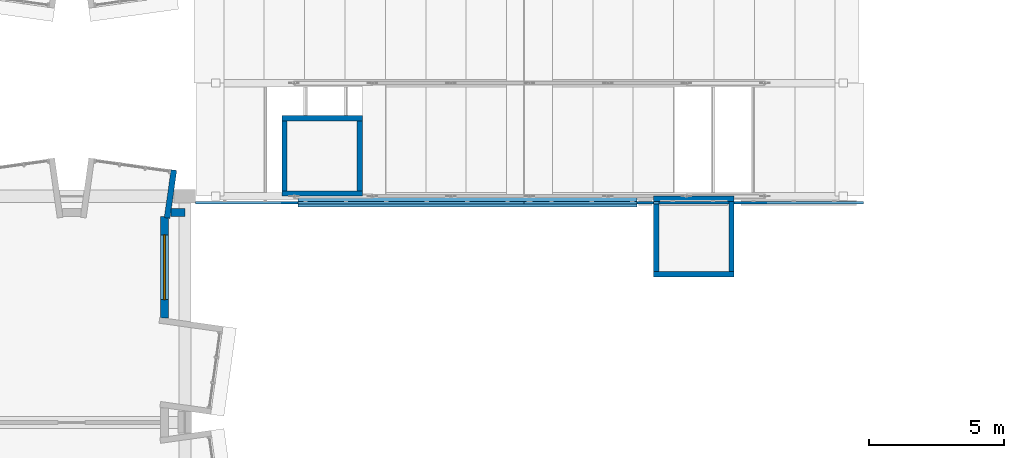
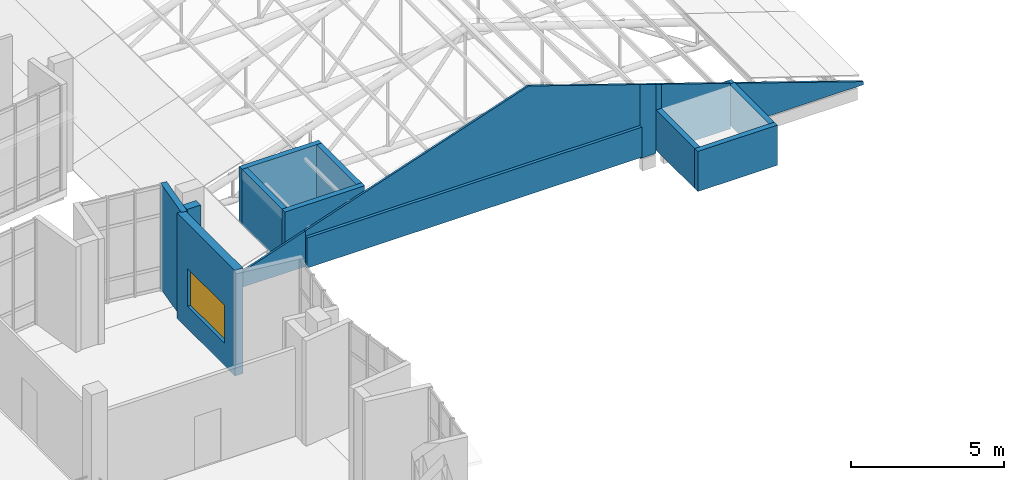
# One storey, part 82 of 95: 18 walls, 1 window, 1 opening.
"""IFC4 building model written with IfcOpenShell, lengths in metres."""

from ifc_helpers import new_model, si_unit, direction, frame, frame_2d, origin, place, context, subcontext, project, spatial, polyline, rectangle, outline, extrude, material, layer, layer_set, type_object, element, fill, save


model = new_model("IFC4")

# Units and contexts
model_context = context("Model", 3, precision=1e-05, world=origin(), true_north=direction((0.0, 1.0)))
body_context = subcontext(model_context, "Body", "Model", "MODEL_VIEW")
ifc_project = project(units=[si_unit("LENGTHUNIT", "METRE"), si_unit("AREAUNIT", "SQUARE_METRE"), si_unit("VOLUMEUNIT", "CUBIC_METRE"), si_unit("PLANEANGLEUNIT", "RADIAN"), si_unit("MASSUNIT", "GRAM", prefix="KILO")], contexts=[model_context])

# Site, building, storey
site_placement = place(None, origin())
site = spatial("IfcSite", under=ifc_project, at=site_placement, CompositionType="ELEMENT")
building_placement = place(site_placement, origin())
building = spatial("IfcBuilding", under=site, at=building_placement, Name="Kiln Court Media Centre", CompositionType="ELEMENT")
storey_placement = place(building_placement, frame((0.0, 0.0, 24.60009765625)))
storey = spatial("IfcBuildingStorey", under=building, at=storey_placement, Name="L05", CompositionType="ELEMENT", Elevation=24.60009765625)

# Wall
ifc_material_1 = material(Name="Brick masonry facing leaf with RC backing", Category="masonry")
ifc_layer_1 = layer(ifc_material_1, 0.215087890625)
ifc_layer_set_1 = layer_set([ifc_layer_1], Name="Brick masonry bay cheek wall 215")
wall_type_1 = type_object("IfcWallType", Name="Brick masonry bay cheek wall 215", PredefinedType="SOLIDWALL", material=ifc_layer_set_1)
wall_1_placement = place(storey_placement, frame((32.944091796875, 24.39111328125, 0.0), z_axis=(0.0, 0.0, 1.0), x_axis=(0.139161311926, 0.990269725511, 0.0)))
element("IfcWall", 1, at=wall_1_placement, inside=storey, type_object=wall_type_1, Name="BAY V6A-N-L05-36 cheek R", PredefinedType="SOLIDWALL", context=body_context, shape_type="SweptSolid", body=[
    extrude(rectangle(XDim=1.800048828125, YDim=0.215087890625, at=frame_2d((0.89990234375, 0.0))), origin(), (0.0, 0.0, 1.0), 4.199951171875),
])

# Wall, opening, window
ifc_material_2 = material(Name="Brick masonry facing leaf with RC backing", Category="masonry")
ifc_layer_2 = layer(ifc_material_2, 0.300048828125)
ifc_layer_set_2 = layer_set([ifc_layer_2], Name="Brick masonry cavity wall 300")
wall_type_2 = type_object("IfcWallType", Name="Brick masonry cavity wall 300", PredefinedType="SOLIDWALL", material=ifc_layer_set_2)
wall_2_placement = place(storey_placement, frame((32.85009765625, 24.449951171875, 0.0), z_axis=(0.0, 0.0, 1.0), x_axis=(0.0, -1.0, 0.0)))
wall_2 = element("IfcWall", 2, at=wall_2_placement, inside=storey, type_object=wall_type_2, Name="V6A-E facade L05 3017", PredefinedType="SOLIDWALL", context=body_context, shape_type="SweptSolid", body=[
    extrude(rectangle(XDim=3.7783203125, YDim=0.300048828125, at=frame_2d((1.88916015625, 0.0))), origin(), (0.0, 0.0, 1.0), 4.199951171875),
])
opening_placement = place(wall_2_placement, frame((0.689208984375, 0.0, 0.89990234375)))
opening = element("IfcOpeningElement", 3, at=opening_placement, cuts=wall_2, Name="Opening WN5001", PredefinedType="OPENING", context=body_context, shape_type="SweptSolid", body=[
    extrude(rectangle(XDim=2.39990234375, YDim=1.5, at=frame_2d((1.199951171875, 0.75))), frame((0.0, 0.159912109375, 0.0), z_axis=(0.0, -1.0, 0.0), x_axis=(1.0, 0.0, 0.0)), (0.0, 0.0, 1.0), 0.320068359375),
])
ifc_material_3 = material(Name="Aluminium 6063-T6", Category="aluminium")
window_type = type_object("IfcWindowType", Name="Aluminium window 2400x1500", PartitioningType="TRIPLE_PANEL_VERTICAL", PredefinedType="WINDOW", material=ifc_material_3)
window_placement = place(opening_placement, origin())
window = element("IfcWindow", 4, at=window_placement, inside=storey, type_object=window_type, Name="WC window WN5001", OverallHeight=1.5, OverallWidth=2.39990234375, PartitioningType="SINGLE_PANEL", PredefinedType="WINDOW", context=body_context, shape_type="SweptSolid", body=[
    extrude(rectangle(XDim=2.39990234375, YDim=1.5, at=frame_2d((1.199951171875, 0.75))), frame((0.0, 0.030029296875, 0.0), z_axis=(0.0, -1.0, 0.0), x_axis=(1.0, 0.0, 0.0)), (0.0, 0.0, 1.0), 0.06005859375),
])
fill(opening, window)

# Walls
wall_3_placement = place(storey_placement, frame((33.081787109375, 24.60009765625, 0.0), z_axis=(0.0, 0.0, 1.0), x_axis=(1.0, 0.0, 0.0)))
element("IfcWall", 5, at=wall_3_placement, inside=storey, type_object=wall_type_2, Name="V6A-N facade L05 3039", PredefinedType="SOLIDWALL", context=body_context, shape_type="SweptSolid", body=[
    extrude(rectangle(XDim=0.518310546875, YDim=0.300048828125, at=frame_2d((0.25927734375, 0.0))), origin(), (0.0, 0.0, 1.0), 4.199951171875),
])
ifc_material_4 = material(Name="Concrete C40/50", Category="concrete")
ifc_layer_3 = layer(ifc_material_4, 0.39990234375)
ifc_layer_set_3 = layer_set([ifc_layer_3], Name="Concrete C40/50 screen wall 400")
wall_type_3 = type_object("IfcWallType", Name="Concrete C40/50 screen wall 400", PredefinedType="SOLIDWALL", material=ifc_layer_set_3)
wall_4_placement = place(storey_placement, frame((37.800048828125, 25.0, 0.0), z_axis=(0.0, 0.0, 1.0), x_axis=(1.0, 0.0, 0.0)))
element("IfcWall", 6, at=wall_4_placement, inside=storey, type_object=wall_type_3, Name="L05-W-1059", PredefinedType="SOLIDWALL", context=body_context, shape_type="SweptSolid", body=[
    extrude(rectangle(XDim=12.599853515625, YDim=0.39990234375, at=frame_2d((6.2998046875, 0.0))), origin(), (0.0, 0.0, 1.0), 1.199951171875),
])
ifc_material_5 = material(Name="Concrete C40/50", Category="concrete")
ifc_layer_4 = layer(ifc_material_5, 0.199951171875)
ifc_layer_set_4 = layer_set([ifc_layer_4], Name="Concrete C40/50 shear wall 200")
wall_type_4 = type_object("IfcWallType", Name="Concrete C40/50 shear wall 200", PredefinedType="SHEAR", material=ifc_layer_set_4)
for number, where, z_axis, x_axis, name in (
    (7, (54.0, 22.300048828125, 0.0), (0.0, 0.0, 1.0), (-1.0, 0.0, 0.0), "L05-W-1034"),
    (8, (51.0, 25.10009765625, 0.0), (0.0, 0.0, 1.0), (1.0, 0.0, 0.0), "L05-W-1035"),
):
    element("IfcWall", number, at=place(storey_placement, frame(where, z_axis=z_axis, x_axis=x_axis)), inside=storey, type_object=wall_type_4, Name=name, PredefinedType="SHEAR", context=body_context, shape_type="SweptSolid", body=[
        extrude(rectangle(XDim=3.0, YDim=0.199951171875, at=frame_2d((1.5, 0.0))), origin(), (0.0, 0.0, 1.0), 1.599853515625),
    ])
for number, where, z_axis, x_axis, name in (
    (9, (51.10009765625, 22.39990234375, 0.0), (0.0, 0.0, 1.0), (0.0, 1.0, 0.0), "L05-W-1036"),
    (10, (53.89990234375, 25.0, 0.0), (0.0, 0.0, 1.0), (0.0, -1.0, 0.0), "L05-W-1037"),
):
    element("IfcWall", number, at=place(storey_placement, frame(where, z_axis=z_axis, x_axis=x_axis)), inside=storey, type_object=wall_type_4, Name=name, PredefinedType="SHEAR", context=body_context, shape_type="SweptSolid", body=[
        extrude(rectangle(XDim=2.60009765625, YDim=0.199951171875, at=frame_2d((1.300048828125, 0.0))), origin(), (0.0, 0.0, 1.0), 1.599853515625),
    ])
for number, where, z_axis, x_axis, name in (
    (11, (40.199951171875, 25.300048828125, 0.0), (0.0, 0.0, 1.0), (-1.0, 0.0, 0.0), "L05-W-1046"),
    (12, (37.199951171875, 28.10009765625, 0.0), (0.0, 0.0, 1.0), (1.0, 0.0, 0.0), "L05-W-1047"),
):
    element("IfcWall", number, at=place(storey_placement, frame(where, z_axis=z_axis, x_axis=x_axis)), inside=storey, type_object=wall_type_4, Name=name, PredefinedType="SHEAR", context=body_context, shape_type="SweptSolid", body=[
        extrude(rectangle(XDim=3.0, YDim=0.199951171875, at=frame_2d((1.5, 0.0))), origin(), (0.0, 0.0, 1.0), 2.199951171875),
    ])
for number, where, z_axis, x_axis, name in (
    (13, (37.300048828125, 25.39990234375, 0.0), (0.0, 0.0, 1.0), (0.0, 1.0, 0.0), "L05-W-1048"),
    (14, (40.10009765625, 28.0, 0.0), (0.0, 0.0, 1.0), (0.0, -1.0, 0.0), "L05-W-1049"),
):
    element("IfcWall", number, at=place(storey_placement, frame(where, z_axis=z_axis, x_axis=x_axis)), inside=storey, type_object=wall_type_4, Name=name, PredefinedType="SHEAR", context=body_context, shape_type="SweptSolid", body=[
        extrude(rectangle(XDim=2.60009765625, YDim=0.199951171875, at=frame_2d((1.300048828125, 0.0))), origin(), (0.0, 0.0, 1.0), 2.199951171875),
    ])
ifc_material_6 = material(Name="Laminated low-E glazing", Category="glass")
ifc_layer_5 = layer(ifc_material_6, 0.080078125)
ifc_layer_set_5 = layer_set([ifc_layer_5], Name="Glazed gable infill wall 80")
wall_type_5 = type_object("IfcWallType", Name="Glazed gable infill wall 80", PredefinedType="MOVABLE", material=ifc_layer_set_5)
wall_5_placement = place(storey_placement, frame((34.0, 24.95556640625, 0.0), z_axis=(0.0, 0.0, 1.0), x_axis=(1.0, 0.0, 0.0)))
element("IfcWall", 15, at=wall_5_placement, inside=storey, type_object=wall_type_5, Name="Foyer south gable glazing", PredefinedType="MOVABLE", context=body_context, shape_type="SweptSolid", body=[
    extrude(outline(polyline([(0.0, 0.0), (3.800048828125, 0.0), (3.800048828125, 1.412353515625), (0.0, 0.134521484375), (0.0, 0.0)])), frame((0.0, 0.0400390625, 0.0), z_axis=(0.0, -1.0, 0.0), x_axis=(1.0, 0.0, 0.0)), (0.0, 0.0, 1.0), 0.080078125),
])
wall_6_placement = place(storey_placement, frame((37.800048828125, 24.95556640625, 1.199951171875), z_axis=(0.0, 0.0, 1.0), x_axis=(1.0, 0.0, 0.0)))
element("IfcWall", 16, at=wall_6_placement, inside=storey, type_object=wall_type_5, Name="Foyer south gable glazing", PredefinedType="MOVABLE", context=body_context, shape_type="SweptSolid", body=[
    extrude(outline(polyline([(0.0, 0.0), (12.599853515625, 0.0), (12.599853515625, 1.625), (8.39990234375, 3.037353515625), (0.0, 0.21240234375), (0.0, 0.0)])), frame((0.0, 0.0400390625, 0.0), z_axis=(0.0, -1.0, 0.0), x_axis=(1.0, 0.0, 0.0)), (0.0, 0.0, 1.0), 0.080078125),
])
wall_7_placement = place(storey_placement, frame((50.39990234375, 24.95556640625, -0.122314453125), z_axis=(0.0, 0.0, 1.0), x_axis=(1.0, 0.0, 0.0)))
element("IfcWall", 17, at=wall_7_placement, inside=storey, type_object=wall_type_5, Name="Foyer south gable glazing", PredefinedType="MOVABLE", context=body_context, shape_type="SweptSolid", body=[
    extrude(outline(polyline([(0.0, 0.0), (0.60009765625, 0.0), (0.60009765625, 2.745361328125), (0.0, 2.947265625), (0.0, 0.0)])), frame((0.0, 0.0400390625, 0.0), z_axis=(0.0, -1.0, 0.0), x_axis=(1.0, 0.0, 0.0)), (0.0, 0.0, 1.0), 0.080078125),
])
wall_8_placement = place(storey_placement, frame((51.0, 24.95556640625, 1.599853515625), z_axis=(0.0, 0.0, 1.0), x_axis=(1.0, 0.0, 0.0)))
element("IfcWall", 18, at=wall_8_placement, inside=storey, type_object=wall_type_5, Name="Foyer south gable glazing", PredefinedType="MOVABLE", context=body_context, shape_type="SweptSolid", body=[
    extrude(outline(polyline([(0.0, 0.0), (0.2001953125, 0.0), (0.199951171875, 0.9560546875), (0.0, 1.023193359375), (0.0, 0.0)])), frame((0.0, 0.0400390625, 0.0), z_axis=(0.0, -1.0, 0.0), x_axis=(1.0, 0.0, 0.0)), (0.0, 0.0, 1.0), 0.080078125),
])
wall_9_placement = place(storey_placement, frame((51.2001953125, 24.95556640625, -0.122314453125), z_axis=(0.0, 0.0, 1.0), x_axis=(1.0, 0.0, 0.0)))
element("IfcWall", 19, at=wall_9_placement, inside=storey, type_object=wall_type_5, Name="Foyer south gable glazing", PredefinedType="MOVABLE", context=body_context, shape_type="SweptSolid", body=[
    extrude(outline(polyline([(0.0, 0.0), (2.599609375, 0.0), (2.599853515625, 1.8037109375), (0.0, 2.67822265625), (0.0, 0.0)])), frame((0.0, 0.0400390625, 0.0), z_axis=(0.0, -1.0, 0.0), x_axis=(1.0, 0.0, 0.0)), (0.0, 0.0, 1.0), 0.080078125),
])
wall_10_placement = place(storey_placement, frame((54.0, 24.95556640625, -0.122314453125), z_axis=(0.0, 0.0, 1.0), x_axis=(1.0, 0.0, 0.0)))
element("IfcWall", 20, at=wall_10_placement, inside=storey, type_object=wall_type_5, Name="Foyer south gable glazing", PredefinedType="MOVABLE", context=body_context, shape_type="SweptSolid", body=[
    extrude(outline(polyline([(0.0, 0.0), (4.800048828125, 0.0), (4.800048828125, 0.122314453125), (0.0, 1.736572265625), (0.0, 0.0)])), frame((0.0, 0.0400390625, 0.0), z_axis=(0.0, -1.0, 0.0), x_axis=(1.0, 0.0, 0.0)), (0.0, 0.0, 1.0), 0.080078125),
])

save(model, "model.ifc")
